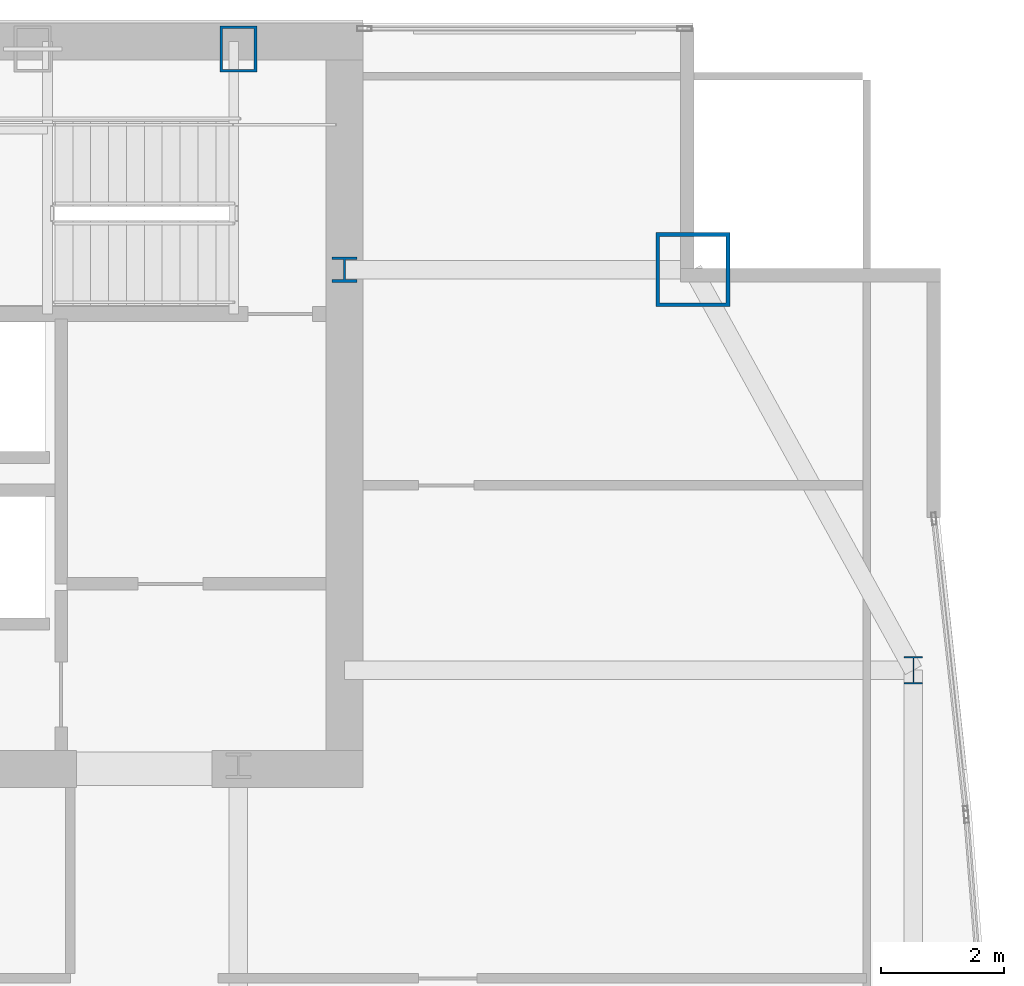
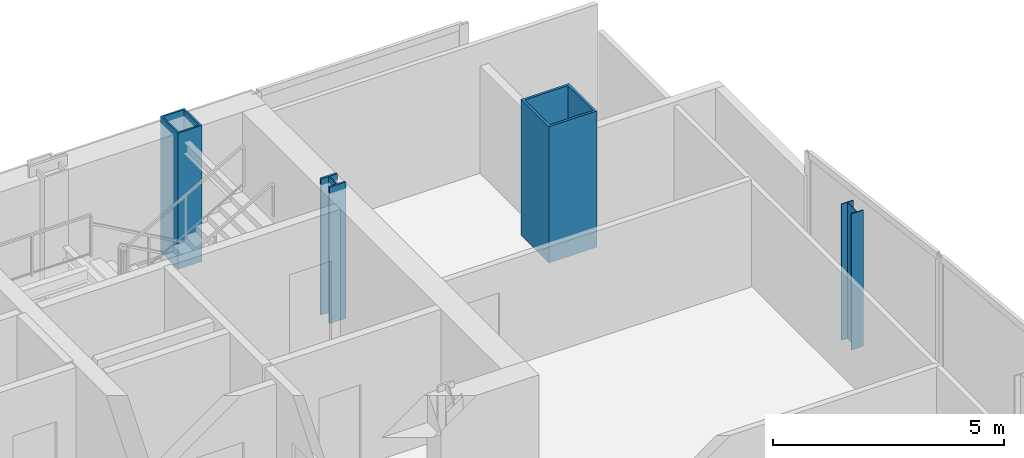
# One storey, part 4 of 32: 4 columns.
"""IFC4 building model written with IfcOpenShell, lengths in metres."""

from ifc_helpers import new_model, si_unit, direction, frame, origin, origin_2d, place, context, subcontext, project, spatial, hollow_rectangle, i_section, extrude, material, material_profile, profile_set, type_object, element, save


model = new_model("IFC4")

# Units and contexts
model_context = context("Model", 3, precision=1e-05, world=origin(), true_north=direction((0.0, 1.0)))
body_context = subcontext(model_context, "Body", "Model", "MODEL_VIEW")
ifc_project = project(units=[si_unit("LENGTHUNIT", "METRE"), si_unit("AREAUNIT", "SQUARE_METRE"), si_unit("VOLUMEUNIT", "CUBIC_METRE"), si_unit("PLANEANGLEUNIT", "RADIAN"), si_unit("MASSUNIT", "GRAM", prefix="KILO")], contexts=[model_context])

# Site, building, storey
site_placement = place(None, origin())
site = spatial("IfcSite", under=ifc_project, at=site_placement, CompositionType="ELEMENT")
building_placement = place(site_placement, origin())
building = spatial("IfcBuilding", under=site, at=building_placement, Name="Khoronbel Lancet Exchange", CompositionType="ELEMENT")
storey_placement = place(building_placement, frame((0.0, 0.0, 195.800048828125)))
storey = spatial("IfcBuildingStorey", under=building, at=storey_placement, Name="L49", CompositionType="ELEMENT", Elevation=195.800048828125)

# Columns
ifc_material_1 = material(Name="Steel S460", Category="steel")
ifc_material_profile_1 = material_profile(ifc_material_1, hollow_rectangle(XDim=0.60009765625, YDim=0.75, WallThickness=0.044921875, at=origin_2d()), Name="BOX 750x600x45")
ifc_profile_set_1 = profile_set([ifc_material_profile_1], Name="Steel S460")
column_type_1 = type_object("IfcColumnType", Name="COL-EC3", PredefinedType="COLUMN", material=ifc_profile_set_1)
column_1_placement = place(storey_placement, frame((54.675048828125, 53.280029296875, 0.0), z_axis=(0.0, 0.0, 1.0), x_axis=(1.0, 0.0, 0.0)))
element("IfcColumn", 1, at=column_1_placement, inside=storey, type_object=column_type_1, Name="Structural column NC-E2 L49", PredefinedType="COLUMN", context=body_context, shape_type="SweptSolid", body=[
    extrude(hollow_rectangle(XDim=0.60009765625, YDim=0.75, WallThickness=0.044921875, at=origin_2d()), origin(), (0.0, 0.0, 1.0), 3.599853515625),
])
ifc_material_2 = material(Name="Steel S355", Category="steel")
ifc_material_profile_2 = material_profile(ifc_material_2, i_section(OverallWidth=0.406005859375, OverallDepth=0.416015625, WebThickness=0.02978515625, FlangeThickness=0.048095703125, at=origin_2d()), Name="HD 400x382")
ifc_profile_set_2 = profile_set([ifc_material_profile_2], Name="Steel S355")
column_type_2 = type_object("IfcColumnType", Name="COL-IC3", PredefinedType="COLUMN", material=ifc_profile_set_2)
column_2_placement = place(storey_placement, frame((56.39990234375, 49.699951171875, 0.0), z_axis=(0.0, 0.0, 1.0), x_axis=(1.0, 0.0, 0.0)))
element("IfcColumn", 2, at=column_2_placement, inside=storey, type_object=column_type_2, Name="Core-flank plumb transfer column CFE L49", PredefinedType="COLUMN", context=body_context, shape_type="SweptSolid", body=[
    extrude(i_section(OverallWidth=0.406005859375, OverallDepth=0.416015625, WebThickness=0.02978515625, FlangeThickness=0.048095703125, at=origin_2d()), origin(), (0.0, 0.0, 1.0), 3.599853515625),
])
ifc_material_profile_3 = material_profile(ifc_material_2, i_section(OverallWidth=0.300048828125, OverallDepth=0.449951171875, WebThickness=0.013916015625, FlangeThickness=0.02587890625, at=origin_2d()), Name="HEB 450")
ifc_profile_set_3 = profile_set([ifc_material_profile_3], Name="Steel S355")
column_type_3 = type_object("IfcColumnType", Name="COL-LC2", PredefinedType="COLUMN", material=ifc_profile_set_3)
column_3_placement = place(storey_placement, frame((65.6298828125, 43.199951171875, 0.0), z_axis=(0.0, 0.0, 1.0), x_axis=(1.0, 0.0, 0.0)))
element("IfcColumn", 3, at=column_3_placement, inside=storey, type_object=column_type_3, Name="Structural column EC-4 L49", PredefinedType="COLUMN", context=body_context, shape_type="SweptSolid", body=[
    extrude(i_section(OverallWidth=0.300048828125, OverallDepth=0.449951171875, WebThickness=0.013916015625, FlangeThickness=0.02587890625, at=origin_2d()), origin(), (0.0, 0.0, 1.0), 3.599853515625),
])
ifc_material_profile_4 = material_profile(ifc_material_1, hollow_rectangle(XDim=1.199951171875, YDim=1.199951171875, WallThickness=0.06005859375, at=origin_2d()), Name="BOX 1200x1200x60")
ifc_profile_set_4 = profile_set([ifc_material_profile_4], Name="Steel S460")
column_type_4 = type_object("IfcColumnType", Name="COL-MC5", PredefinedType="COLUMN", material=ifc_profile_set_4)
column_4_placement = place(storey_placement, frame((62.050048828125, 49.699951171875, 0.0), z_axis=(0.0, 0.0, 1.0), x_axis=(1.0, 0.0, 0.0)))
element("IfcColumn", 4, at=column_4_placement, inside=storey, type_object=column_type_4, Name="Structural column MC-NE L49", PredefinedType="COLUMN", context=body_context, shape_type="SweptSolid", body=[
    extrude(hollow_rectangle(XDim=1.199951171875, YDim=1.199951171875, WallThickness=0.06005859375, at=origin_2d()), origin(), (0.0, 0.0, 1.0), 3.599853515625),
])

save(model, "model.ifc")
